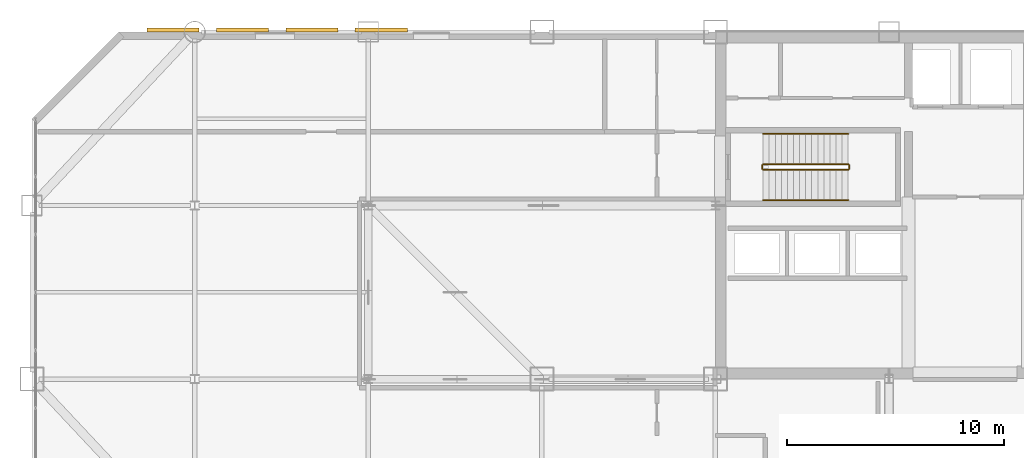
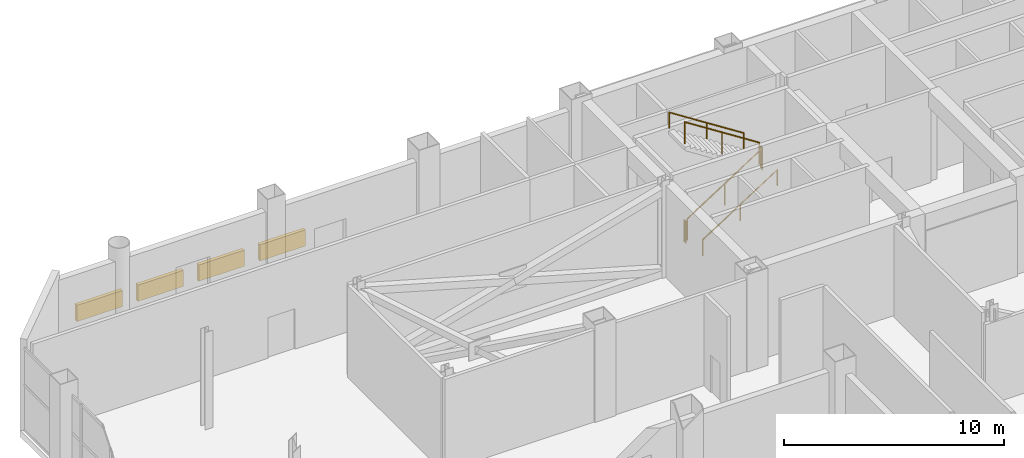
# One storey, part 23 of 24: 6 railings, 4 shading devices.
"""IFC4 building model written with IfcOpenShell, lengths in metres."""

import ifcopenshell
import ifcopenshell.guid

model = None  # the IFC model being written
_history = None  # IfcOwnerHistory: only IFC2X3 demands one
_inside = {}  # id of a spatial element -> (the spatial element, [elements in it])
_under = {}  # id of a project, library or spatial element -> (it, [spatial elements below it])
_declared = {}  # id of a project -> (the project, [libraries it declares])
_typed = {}  # id of a type object -> (the type object, [elements of that type])
_made_of = {}  # id of a material, layer set ... -> (it, [elements and type objects made of it])


def new_model(schema):
    """Start an empty IFC model of exactly this schema.

    Asked for "IFC4X3", IfcOpenShell would pick the latest addendum, in which some entities
    have other attributes; the version numbers below select the first issue.
    IFC2X3 requires an IfcOwnerHistory on every rooted entity: one is made here for all.
    """
    global model, _history
    if schema == "IFC4X3":
        model = ifcopenshell.file(schema_version=(4, 3, 0, 0))
    else:
        model = ifcopenshell.file(schema=schema)
    _inside.clear()
    _under.clear()
    _declared.clear()
    _typed.clear()
    _made_of.clear()
    _history = None
    if model.schema == "IFC2X3":
        org = make("IfcOrganization", Name="unknown")
        user = make(
            "IfcPersonAndOrganization",
            ThePerson=make("IfcPerson", FamilyName="unknown"),
            TheOrganization=org,
        )
        app = make(
            "IfcApplication",
            ApplicationDeveloper=org,
            Version="unknown",
            ApplicationFullName="unknown",
            ApplicationIdentifier="unknown",
        )
        _history = make(
            "IfcOwnerHistory",
            OwningUser=user,
            OwningApplication=app,
            ChangeAction="ADDED",
            CreationDate=0,
        )
    return model


def make(cls, **values):
    """One entity of the class cls with the attributes given. An attribute that is None is left unset."""
    return model.create_entity(
        cls, **{name: value for name, value in values.items() if value is not None}
    )


def rooted(cls, **values):
    """An entity with a GlobalId (a new one), such as an element, a storey or a relation."""
    return make(cls, GlobalId=ifcopenshell.guid.new(), OwnerHistory=_history, **values)


def si_unit(unit_type, name, prefix=None):
    """IfcSIUnit, for example si_unit("LENGTHUNIT", "METRE", prefix="MILLI")."""
    return make("IfcSIUnit", UnitType=unit_type, Prefix=prefix, Name=name)


def assignment(units):
    """IfcUnitAssignment: the units of a project."""
    return None if units is None else make("IfcUnitAssignment", Units=units)


def point(xyz):
    """IfcCartesianPoint."""
    return None if xyz is None else make("IfcCartesianPoint", Coordinates=xyz)


def direction(xyz):
    """IfcDirection."""
    return None if xyz is None else make("IfcDirection", DirectionRatios=xyz)


def frame(location, z_axis=None, x_axis=None):
    """IfcAxis2Placement3D, a coordinate frame: its origin and axes. An axis left out is left unset."""
    return make(
        "IfcAxis2Placement3D",
        Location=point(location),
        Axis=direction(z_axis),
        RefDirection=direction(x_axis),
    )


def frame_2d(location, x_axis=None):
    """IfcAxis2Placement2D, a coordinate frame in the plane: its origin and x axis."""
    return make(
        "IfcAxis2Placement2D", Location=point(location), RefDirection=direction(x_axis)
    )


def origin():
    """The frame at (0, 0, 0) with its axes left unset."""
    return frame((0.0, 0.0, 0.0))


def origin_2d():
    """The frame at (0, 0) in the plane with its x axis left unset."""
    return frame_2d((0.0, 0.0))


def place(relative_to, where):
    """IfcLocalPlacement: puts the frame where relative to a parent placement (None: the world)."""
    return make(
        "IfcLocalPlacement", PlacementRelTo=relative_to, RelativePlacement=where
    )


def context(
    kind, dimensions, precision=None, world=None, true_north=None, identifier=None
):
    """IfcGeometricRepresentationContext, for example the 3D "Model" context."""
    return make(
        "IfcGeometricRepresentationContext",
        ContextIdentifier=identifier,
        ContextType=kind,
        CoordinateSpaceDimension=dimensions,
        Precision=precision,
        WorldCoordinateSystem=world,
        TrueNorth=true_north,
    )


def subcontext(parent, identifier, kind, view, scale=None):
    """IfcGeometricRepresentationSubContext, for example "Body" below "Model"."""
    return make(
        "IfcGeometricRepresentationSubContext",
        ContextIdentifier=identifier,
        ContextType=kind,
        ParentContext=parent,
        TargetScale=scale,
        TargetView=view,
    )


def project(units=None, contexts=None):
    """IfcProject with its units and contexts."""
    return rooted(
        "IfcProject",
        Name="project",
        RepresentationContexts=contexts,
        UnitsInContext=assignment(units),
    )


def spatial(cls, under=None, at=None, **own):
    """A site, building, storey or space (cls), placed at a placement, below another one or the project."""
    s = rooted(cls, ObjectPlacement=at, **own)
    if under is not None:
        _under.setdefault(under.id(), (under, []))[1].append(s)
    return s


def profile(cls, at=None, kind="AREA", **sizes):
    """A parametric profile (cls). Its sizes go by their IFC names, for example OverallWidth=200.0."""
    return make(cls, ProfileType=kind, Position=at, **sizes)


def rectangle(**sizes):
    """IfcRectangleProfileDef."""
    return profile("IfcRectangleProfileDef", **sizes)


def circle(**sizes):
    """IfcCircleProfileDef."""
    return profile("IfcCircleProfileDef", **sizes)


def extrude(swept, where, along, depth):
    """IfcExtrudedAreaSolid: the profile swept, set in the frame where, extruded along a direction by depth."""
    return make(
        "IfcExtrudedAreaSolid",
        SweptArea=swept,
        Position=where,
        ExtrudedDirection=direction(along),
        Depth=depth,
    )


def shape(context_of_items, identifier, shape_type, items):
    """IfcShapeRepresentation: the items that make up one representation, for example the "Body"."""
    return make(
        "IfcShapeRepresentation",
        ContextOfItems=context_of_items,
        RepresentationIdentifier=identifier,
        RepresentationType=shape_type,
        Items=items,
    )


def material(Name=None, Category=None):
    """IfcMaterial."""
    return make("IfcMaterial", Name=Name, Category=Category)


def made_of(thing, what):
    """Note that an element or type object is made of a material, layer set ...; save() writes the relation."""
    if what is not None:
        _made_of.setdefault(what.id(), (what, []))[1].append(thing)
    return thing


def type_object(cls, material=None, **own):
    """A type object (cls), such as IfcWallType, which elements share."""
    return made_of(rooted(cls, **own), material)


def element(
    cls,
    number,
    at=None,
    inside=None,
    cuts=None,
    type_object=None,
    material=None,
    context=None,
    identifier="Body",
    shape_type=None,
    held_by="IfcProductDefinitionShape",
    body=None,
    shapes=None,
    **own,
):
    """One element of the class cls, such as IfcWall. Its Tag is "e" and its number.

    at: its placement. inside: the storey or other place that contains it. cuts: it is an
    opening in that element (IfcRelVoidsElement). A single representation is given by context,
    identifier, shape_type and body (its items); several are given by shapes. held_by: the class
    of the entity that holds the representations. save() writes the other relations.
    """
    e = rooted(cls, Tag="e%d" % number, ObjectPlacement=at, **own)
    if body is not None:
        shapes = [shape(context, identifier, shape_type, body)]
    if shapes is not None:
        e.Representation = make(held_by, Representations=shapes)
    if inside is not None:
        _inside.setdefault(inside.id(), (inside, []))[1].append(e)
    if cuts is not None:
        rooted(
            "IfcRelVoidsElement", RelatingBuildingElement=cuts, RelatedOpeningElement=e
        )
    if type_object is not None:
        _typed.setdefault(type_object.id(), (type_object, []))[1].append(e)
    return made_of(e, material)


def aggregate(whole, parts):
    """IfcRelAggregates: a whole, such as a stair, and the parts it consists of."""
    return rooted("IfcRelAggregates", RelatingObject=whole, RelatedObjects=parts)


def save(model, path):
    """Write the relations noted so far, then the file.

    IfcRelAggregates (storeys below a building ...), IfcRelContainedInSpatialStructure (elements
    in a storey), IfcRelDefinesByType, IfcRelAssociatesMaterial and IfcRelDeclares: one each for
    every whole, place, type object, material and project.
    """
    for whole, parts in _under.values():
        aggregate(whole, parts)
    for where, things in _inside.values():
        rooted(
            "IfcRelContainedInSpatialStructure",
            RelatedElements=things,
            RelatingStructure=where,
        )
    for kind, things in _typed.values():
        rooted("IfcRelDefinesByType", RelatedObjects=things, RelatingType=kind)
    for what, things in _made_of.values():
        rooted("IfcRelAssociatesMaterial", RelatedObjects=things, RelatingMaterial=what)
    for by, libraries in _declared.values():
        rooted("IfcRelDeclares", RelatingContext=by, RelatedDefinitions=libraries)
    model.write(path)


model = new_model("IFC4")

# Units and contexts
model_context = context("Model", 3, precision=1e-05, world=origin(), true_north=direction((0.0, 1.0)))
body_context = subcontext(model_context, "Body", "Model", "MODEL_VIEW")
ifc_project = project(units=[si_unit("LENGTHUNIT", "METRE"), si_unit("AREAUNIT", "SQUARE_METRE"), si_unit("VOLUMEUNIT", "CUBIC_METRE"), si_unit("PLANEANGLEUNIT", "RADIAN"), si_unit("MASSUNIT", "GRAM", prefix="KILO")], contexts=[model_context])

# Site, building, storey
site_placement = place(None, origin())
site = spatial("IfcSite", under=ifc_project, at=site_placement, CompositionType="ELEMENT")
building_placement = place(site_placement, origin())
building = spatial("IfcBuilding", under=site, at=building_placement, Name="Qianrong Seaharbour Tower", CompositionType="ELEMENT")
storey_placement = place(building_placement, frame((0.0, 0.0, 195.0)))
storey = spatial("IfcBuildingStorey", under=building, at=storey_placement, Name="L47", CompositionType="ELEMENT", Elevation=195.0)

# Railings
ifc_material_1 = material(Name="Galvanized painted steel SN400B stair guard", Category="steel")
railing_type_1 = type_object("IfcRailingType", Name="RAIL-STAIR-GUARD-1220", PredefinedType="GUARDRAIL", material=ifc_material_1)
railing_1_placement = place(storey_placement, frame((42.699951171875, 45.64990234375, 0.179931640625)))
element("IfcRailing", 1, at=railing_1_placement, inside=storey, type_object=railing_type_1, Name="L47 ST-1 stair guard 1", PredefinedType="GUARDRAIL", context=body_context, shape_type="SweptSolid", body=[
    extrude(circle(Radius=0.02392578125, at=origin_2d()), frame((0.0, 0.0, 1.19580078125), z_axis=(0.841186985886, 0.0, 0.540744352514), x_axis=(0.0, 1.0, 0.0)), (0.0, 0.0, 1.0), 4.660400390625),
    extrude(circle(Radius=0.02099609375, at=origin_2d()), origin(), (0.0, 0.0, 1.0), 1.171875),
    extrude(circle(Radius=0.02099609375, at=origin_2d()), frame((1.9599609375, 0.0, 1.260009765625)), (0.0, 0.0, 1.0), 1.171875),
    extrude(circle(Radius=0.02099609375, at=origin_2d()), frame((3.920166015625, 0.0, 2.52001953125)), (0.0, 0.0, 1.0), 1.171875),
])
railing_2_placement = place(storey_placement, frame((46.669921875, 45.699951171875, 2.699951171875)))
element("IfcRailing", 2, at=railing_2_placement, inside=storey, type_object=railing_type_1, Name="L47 ST-1 stair guard 2", PredefinedType="GUARDRAIL", context=body_context, shape_type="SweptSolid", body=[
    extrude(circle(Radius=0.02392578125, at=origin_2d()), frame((0.0, 0.0, 1.19580078125), z_axis=(0.0, 1.0, 0.0), x_axis=(-1.0, 0.0, 0.0)), (0.0, 0.0, 1.0), 0.150146484375),
    extrude(circle(Radius=0.02099609375, at=origin_2d()), origin(), (0.0, 0.0, 1.0), 1.171875),
    extrude(circle(Radius=0.02099609375, at=origin_2d()), frame((0.0, 0.150146484375, 0.0)), (0.0, 0.0, 1.0), 1.171875),
])
railing_3_placement = place(storey_placement, frame((46.6201171875, 45.89990234375, 2.8798828125)))
element("IfcRailing", 3, at=railing_3_placement, inside=storey, type_object=railing_type_1, Name="L47 ST-1 stair guard 3", PredefinedType="GUARDRAIL", context=body_context, shape_type="SweptSolid", body=[
    extrude(circle(Radius=0.02392578125, at=origin_2d()), frame((0.0, 0.0, 1.19580078125), z_axis=(-0.841186985886, 0.0, 0.540744352514), x_axis=(0.0, -1.0, 0.0)), (0.0, 0.0, 1.0), 4.660400390625),
    extrude(circle(Radius=0.02099609375, at=origin_2d()), origin(), (0.0, 0.0, 1.0), 1.171875),
    extrude(circle(Radius=0.02099609375, at=origin_2d()), frame((-1.9599609375, 0.0, 1.260009765625)), (0.0, 0.0, 1.0), 1.171875),
    extrude(circle(Radius=0.02099609375, at=origin_2d()), frame((-3.920166015625, 0.0, 2.52001953125)), (0.0, 0.0, 1.0), 1.171875),
])
railing_4_placement = place(storey_placement, frame((42.64990234375, 45.699951171875, 0.0)))
element("IfcRailing", 4, at=railing_4_placement, inside=storey, type_object=railing_type_1, Name="L47 ST-1 stair guard 4", PredefinedType="GUARDRAIL", context=body_context, shape_type="SweptSolid", body=[
    extrude(circle(Radius=0.02392578125, at=origin_2d()), frame((0.0, 0.0, 1.19580078125), z_axis=(0.0, 1.0, 0.0), x_axis=(-1.0, 0.0, 0.0)), (0.0, 0.0, 1.0), 0.150146484375),
    extrude(circle(Radius=0.02099609375, at=origin_2d()), origin(), (0.0, 0.0, 1.0), 1.171875),
    extrude(circle(Radius=0.02099609375, at=origin_2d()), frame((0.0, 0.150146484375, 0.0)), (0.0, 0.0, 1.0), 1.171875),
])
ifc_material_2 = material(Name="Stainless steel SUS316L continuous handrail", Category="steel")
railing_type_2 = type_object("IfcRailingType", Name="RAIL-STAIR-HANDRAIL-900", PredefinedType="HANDRAIL", material=ifc_material_2)
railing_5_placement = place(storey_placement, frame((42.699951171875, 44.25, 0.179931640625)))
element("IfcRailing", 5, at=railing_5_placement, inside=storey, type_object=railing_type_2, Name="L47 ST-1 stair handrail 1", PredefinedType="HANDRAIL", context=body_context, shape_type="SweptSolid", body=[
    extrude(circle(Radius=0.02392578125, at=origin_2d()), frame((0.0, 0.0, 0.8759765625), z_axis=(0.841186985886, 0.0, 0.540744352514), x_axis=(0.0, 1.0, 0.0)), (0.0, 0.0, 1.0), 4.660400390625),
    extrude(circle(Radius=0.02099609375, at=origin_2d()), origin(), (0.0, 0.0, 1.0), 0.851806640625),
    extrude(circle(Radius=0.02099609375, at=origin_2d()), frame((1.9599609375, 0.0, 1.260009765625)), (0.0, 0.0, 1.0), 0.851806640625),
    extrude(circle(Radius=0.02099609375, at=origin_2d()), frame((3.920166015625, 0.0, 2.52001953125)), (0.0, 0.0, 1.0), 0.851806640625),
])
railing_6_placement = place(storey_placement, frame((46.6201171875, 47.300048828125, 2.8798828125)))
element("IfcRailing", 6, at=railing_6_placement, inside=storey, type_object=railing_type_2, Name="L47 ST-1 stair handrail 2", PredefinedType="HANDRAIL", context=body_context, shape_type="SweptSolid", body=[
    extrude(circle(Radius=0.02392578125, at=origin_2d()), frame((0.0, 0.0, 0.8759765625), z_axis=(-0.841186985886, 0.0, 0.540744352514), x_axis=(0.0, -1.0, 0.0)), (0.0, 0.0, 1.0), 4.660400390625),
    extrude(circle(Radius=0.02099609375, at=origin_2d()), origin(), (0.0, 0.0, 1.0), 0.851806640625),
    extrude(circle(Radius=0.02099609375, at=origin_2d()), frame((-1.9599609375, 0.0, 1.260009765625)), (0.0, 0.0, 1.0), 0.851806640625),
    extrude(circle(Radius=0.02099609375, at=origin_2d()), frame((-3.920166015625, 0.0, 2.52001953125)), (0.0, 0.0, 1.0), 0.851806640625),
])

# Shading devices
ifc_material_3 = material(Name="Anodised aluminium storm-proof louvre assembly", Category="aluminium")
shading_device_type = type_object("IfcShadingDeviceType", Name="SHD-LOUVRE-JALOUSIE-180", PredefinedType="JALOUSIE", material=ifc_material_3)
for number, where, z_axis, x_axis, name in (
    (7, (15.5, 52.0849609375, 1.75), (0.0, 0.0, 1.0), (1.0, 0.0, 0.0), "L47 Acoustic Storm Louvre Panel 1"),
    (8, (18.699951171875, 52.0849609375, 1.75), (0.0, 0.0, 1.0), (1.0, 0.0, 0.0), "L47 Acoustic Storm Louvre Panel 2"),
    (9, (21.89990234375, 52.0849609375, 1.75), (0.0, 0.0, 1.0), (1.0, 0.0, 0.0), "L47 Acoustic Storm Louvre Panel 3"),
    (10, (25.10009765625, 52.0849609375, 1.75), (0.0, 0.0, 1.0), (1.0, 0.0, 0.0), "L47 Acoustic Storm Louvre Panel 4"),
):
    element("IfcShadingDevice", number, at=place(storey_placement, frame(where, z_axis=z_axis, x_axis=x_axis)), inside=storey, type_object=shading_device_type, Name=name, PredefinedType="JALOUSIE", context=body_context, shape_type="SweptSolid", body=[
        extrude(rectangle(XDim=2.39990234375, YDim=0.179931640625, at=origin_2d()), origin(), (0.0, 0.0, 1.0), 0.89990234375),
    ])

save(model, "model.ifc")
